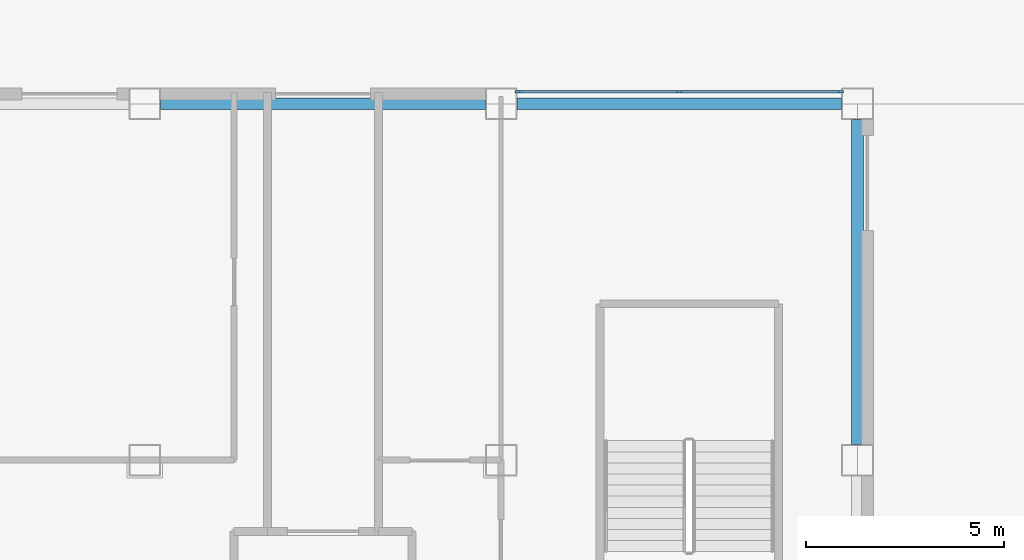
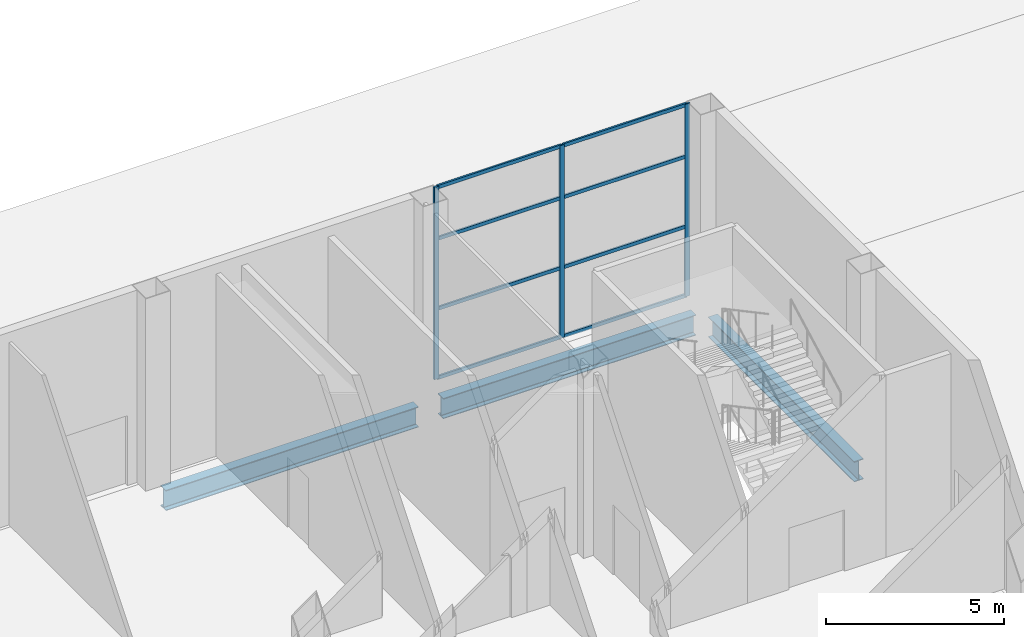
# One storey, part 10 of 38: 11 members, 3 beams, 1 element without a shape of its own.
"""IFC4 building model written with IfcOpenShell, lengths in metres."""

from ifc_helpers import new_model, si_unit, direction, frame, origin, origin_2d, place, context, subcontext, project, spatial, rectangle, i_section, extrude, material, layer, layer_set, material_profile, profile_set, type_object, element, aggregate, save


model = new_model("IFC4")

# Units and contexts
model_context = context("Model", 3, precision=1e-05, world=origin(), true_north=direction((0.0, 1.0)))
body_context = subcontext(model_context, "Body", "Model", "MODEL_VIEW")
ifc_project = project(units=[si_unit("LENGTHUNIT", "METRE"), si_unit("AREAUNIT", "SQUARE_METRE"), si_unit("VOLUMEUNIT", "CUBIC_METRE"), si_unit("PLANEANGLEUNIT", "RADIAN"), si_unit("MASSUNIT", "GRAM", prefix="KILO")], contexts=[model_context])

# Site, building, storey
site_placement = place(None, origin())
site = spatial("IfcSite", under=ifc_project, at=site_placement, CompositionType="ELEMENT")
building_placement = place(site_placement, origin())
building = spatial("IfcBuilding", under=site, at=building_placement, Name="Caravel Reach Hotel and Residences", CompositionType="ELEMENT")
storey_placement = place(building_placement, origin())
storey = spatial("IfcBuildingStorey", under=building, at=storey_placement, Name="L00", CompositionType="ELEMENT", Elevation=0.0)

# Curtain wall, members
ifc_material_1 = material(Name="Dark low-e glazing in black aluminium frame", Category="aluminium")
ifc_layer = layer(ifc_material_1, 0.199951171875)
ifc_layer_set = layer_set([ifc_layer], Name="CW1 Podium storefront")
curtain_wall_type = type_object("IfcCurtainWallType", Name="CW1 Podium storefront", PredefinedType="NOTDEFINED", material=ifc_layer_set)
curtain_wall_placement = place(storey_placement, origin())
curtain_wall = element("IfcCurtainWall", 1, at=curtain_wall_placement, inside=storey, type_object=curtain_wall_type, Name="Podium storefront b0", PredefinedType="NOTDEFINED")
ifc_material_2 = material(Name="Anodised aluminium alloy 6063-T5, black", Category="aluminium")
ifc_material_profile_1 = material_profile(ifc_material_2, rectangle(XDim=0.06005859375, YDim=0.159912109375, at=origin_2d()), Name="CW mullion 60 x 160")
ifc_profile_set_1 = profile_set([ifc_material_profile_1], Name="Anodised aluminium alloy 6063-T5, black")
member_type_1 = type_object("IfcMemberType", Name="CW mullion 60 x 160", PredefinedType="MULLION", material=ifc_profile_set_1)
member_1_placement = place(storey_placement, frame((67.070068359375, 54.300048828125, 0.0), z_axis=(0.0, 0.0, 1.0), x_axis=(0.0, -1.0, 0.0)))
member_1 = element("IfcMember", 2, at=member_1_placement, type_object=member_type_1, Name="CW1 mullion 1", PredefinedType="MULLION", context=body_context, shape_type="SweptSolid", body=[
    extrude(rectangle(XDim=0.06005859375, YDim=0.159912109375, at=origin_2d()), origin(), (0.0, 0.0, 1.0), 6.60009765625),
])
member_2_placement = place(storey_placement, frame((63.0, 54.300048828125, 0.0), z_axis=(0.0, 0.0, 1.0), x_axis=(0.0, -1.0, 0.0)))
member_2 = element("IfcMember", 3, at=member_2_placement, type_object=member_type_1, Name="CW1 mullion 2", PredefinedType="MULLION", context=body_context, shape_type="SweptSolid", body=[
    extrude(rectangle(XDim=0.06005859375, YDim=0.159912109375, at=origin_2d()), origin(), (0.0, 0.0, 1.0), 6.60009765625),
])
member_3_placement = place(storey_placement, frame((58.929931640625, 54.300048828125, 0.0), z_axis=(0.0, 0.0, 1.0), x_axis=(0.0, -1.0, 0.0)))
member_3 = element("IfcMember", 4, at=member_3_placement, type_object=member_type_1, Name="CW1 mullion 3", PredefinedType="MULLION", context=body_context, shape_type="SweptSolid", body=[
    extrude(rectangle(XDim=0.06005859375, YDim=0.159912109375, at=origin_2d()), origin(), (0.0, 0.0, 1.0), 6.60009765625),
])
ifc_material_3 = material(Name="Anodised aluminium alloy 6063-T5, black", Category="aluminium")
ifc_material_profile_2 = material_profile(ifc_material_3, rectangle(XDim=0.06005859375, YDim=0.1201171875, at=origin_2d()), Name="CW transom 60 x 120")
ifc_profile_set_2 = profile_set([ifc_material_profile_2], Name="Anodised aluminium alloy 6063-T5, black")
member_type_2 = type_object("IfcMemberType", Name="CW transom 60 x 120", PredefinedType="USERDEFINED", material=ifc_profile_set_2)
member_4_placement = place(storey_placement, frame((67.0400390625, 54.300048828125, 0.030029296875), z_axis=(-1.0, 0.0, 0.0), x_axis=(0.0, -1.0, 0.0)))
member_4 = element("IfcMember", 5, at=member_4_placement, type_object=member_type_2, Name="CW1 transom 1.1", ObjectType="TRANSOM", PredefinedType="USERDEFINED", context=body_context, shape_type="SweptSolid", body=[
    extrude(rectangle(XDim=0.06005859375, YDim=0.1201171875, at=origin_2d()), origin(), (0.0, 0.0, 1.0), 4.010009765625),
])
member_5_placement = place(storey_placement, frame((67.0400390625, 54.300048828125, 2.39990234375), z_axis=(-1.0, 0.0, 0.0), x_axis=(0.0, -1.0, 0.0)))
member_5 = element("IfcMember", 6, at=member_5_placement, type_object=member_type_2, Name="CW1 transom 1.2", ObjectType="TRANSOM", PredefinedType="USERDEFINED", context=body_context, shape_type="SweptSolid", body=[
    extrude(rectangle(XDim=0.06005859375, YDim=0.1201171875, at=origin_2d()), origin(), (0.0, 0.0, 1.0), 4.010009765625),
])
member_6_placement = place(storey_placement, frame((67.0400390625, 54.300048828125, 4.800048828125), z_axis=(-1.0, 0.0, 0.0), x_axis=(0.0, -1.0, 0.0)))
member_6 = element("IfcMember", 7, at=member_6_placement, type_object=member_type_2, Name="CW1 transom 1.3", ObjectType="TRANSOM", PredefinedType="USERDEFINED", context=body_context, shape_type="SweptSolid", body=[
    extrude(rectangle(XDim=0.06005859375, YDim=0.1201171875, at=origin_2d()), origin(), (0.0, 0.0, 1.0), 4.010009765625),
])
member_7_placement = place(storey_placement, frame((67.0400390625, 54.300048828125, 6.570068359375), z_axis=(-1.0, 0.0, 0.0), x_axis=(0.0, -1.0, 0.0)))
member_7 = element("IfcMember", 8, at=member_7_placement, type_object=member_type_2, Name="CW1 transom 1.4", ObjectType="TRANSOM", PredefinedType="USERDEFINED", context=body_context, shape_type="SweptSolid", body=[
    extrude(rectangle(XDim=0.06005859375, YDim=0.1201171875, at=origin_2d()), origin(), (0.0, 0.0, 1.0), 4.010009765625),
])
member_8_placement = place(storey_placement, frame((62.969970703125, 54.300048828125, 0.030029296875), z_axis=(-1.0, 0.0, 0.0), x_axis=(0.0, -1.0, 0.0)))
member_8 = element("IfcMember", 9, at=member_8_placement, type_object=member_type_2, Name="CW1 transom 2.1", ObjectType="TRANSOM", PredefinedType="USERDEFINED", context=body_context, shape_type="SweptSolid", body=[
    extrude(rectangle(XDim=0.06005859375, YDim=0.1201171875, at=origin_2d()), origin(), (0.0, 0.0, 1.0), 4.010009765625),
])
member_9_placement = place(storey_placement, frame((62.969970703125, 54.300048828125, 2.39990234375), z_axis=(-1.0, 0.0, 0.0), x_axis=(0.0, -1.0, 0.0)))
member_9 = element("IfcMember", 10, at=member_9_placement, type_object=member_type_2, Name="CW1 transom 2.2", ObjectType="TRANSOM", PredefinedType="USERDEFINED", context=body_context, shape_type="SweptSolid", body=[
    extrude(rectangle(XDim=0.06005859375, YDim=0.1201171875, at=origin_2d()), origin(), (0.0, 0.0, 1.0), 4.010009765625),
])
member_10_placement = place(storey_placement, frame((62.969970703125, 54.300048828125, 4.800048828125), z_axis=(-1.0, 0.0, 0.0), x_axis=(0.0, -1.0, 0.0)))
member_10 = element("IfcMember", 11, at=member_10_placement, type_object=member_type_2, Name="CW1 transom 2.3", ObjectType="TRANSOM", PredefinedType="USERDEFINED", context=body_context, shape_type="SweptSolid", body=[
    extrude(rectangle(XDim=0.06005859375, YDim=0.1201171875, at=origin_2d()), origin(), (0.0, 0.0, 1.0), 4.010009765625),
])
member_11_placement = place(storey_placement, frame((62.969970703125, 54.300048828125, 6.570068359375), z_axis=(-1.0, 0.0, 0.0), x_axis=(0.0, -1.0, 0.0)))
member_11 = element("IfcMember", 12, at=member_11_placement, type_object=member_type_2, Name="CW1 transom 2.4", ObjectType="TRANSOM", PredefinedType="USERDEFINED", context=body_context, shape_type="SweptSolid", body=[
    extrude(rectangle(XDim=0.06005859375, YDim=0.1201171875, at=origin_2d()), origin(), (0.0, 0.0, 1.0), 4.010009765625),
])
aggregate(curtain_wall, [member_1, member_2, member_3, member_4, member_5, member_6, member_7, member_8, member_9, member_10, member_11])

# Beams
ifc_material_4 = material(Name="Structural steel Q355B", Category="steel")
ifc_material_profile_3 = material_profile(ifc_material_4, i_section(OverallWidth=0.300048828125, OverallDepth=0.699951171875, WebThickness=0.012939453125, FlangeThickness=0.02392578125, FilletRadius=0.01806640625, at=origin_2d()), Name="HN 700x300x13x24")
ifc_profile_set_3 = profile_set([ifc_material_profile_3], Name="Structural steel Q355B")
beam_type = type_object("IfcBeamType", Name="Spandrel beam HN 700x300x13x24", PredefinedType="SPANDREL", material=ifc_profile_set_3)
for number, where, z_axis, x_axis, name in (
    (13, (67.5, 45.39990234375, -0.75), (0.0, 1.0, 0.0), (-1.0, 0.0, 0.0), "SP2 HN 700x300x13x24"),
    (14, (67.10009765625, 54.0, -0.75), (-1.0, 0.0, 0.0), (0.0, -1.0, 0.0), "SP2 HN 700x300x13x24"),
    (15, (58.10009765625, 54.0, -0.75), (-1.0, 0.0, 0.0), (0.0, -1.0, 0.0), "SP2 HN 700x300x13x24"),
):
    element("IfcBeam", number, at=place(storey_placement, frame(where, z_axis=z_axis, x_axis=x_axis)), inside=storey, type_object=beam_type, Name=name, PredefinedType="SPANDREL", context=body_context, shape_type="SweptSolid", body=[
        extrude(i_section(OverallWidth=0.300048828125, OverallDepth=0.699951171875, WebThickness=0.012939453125, FlangeThickness=0.02392578125, FilletRadius=0.01806640625, at=origin_2d()), origin(), (0.0, 0.0, 1.0), 8.2001953125),
    ])

save(model, "model.ifc")
